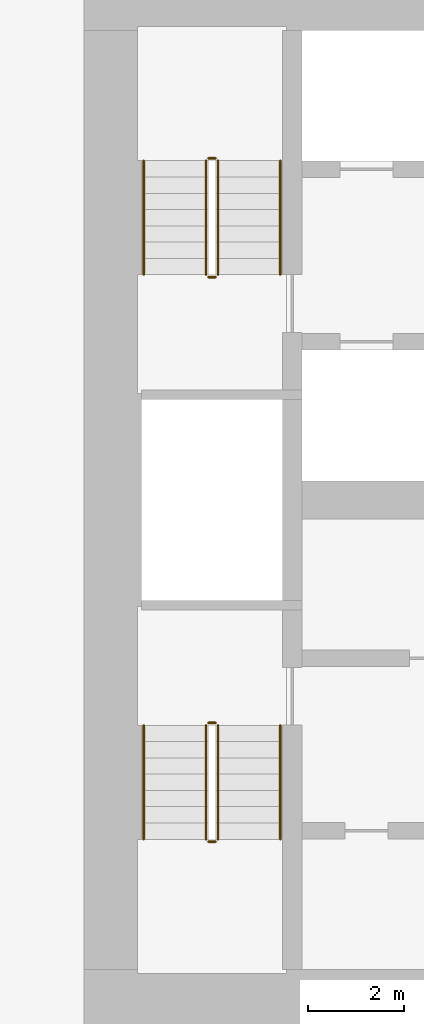
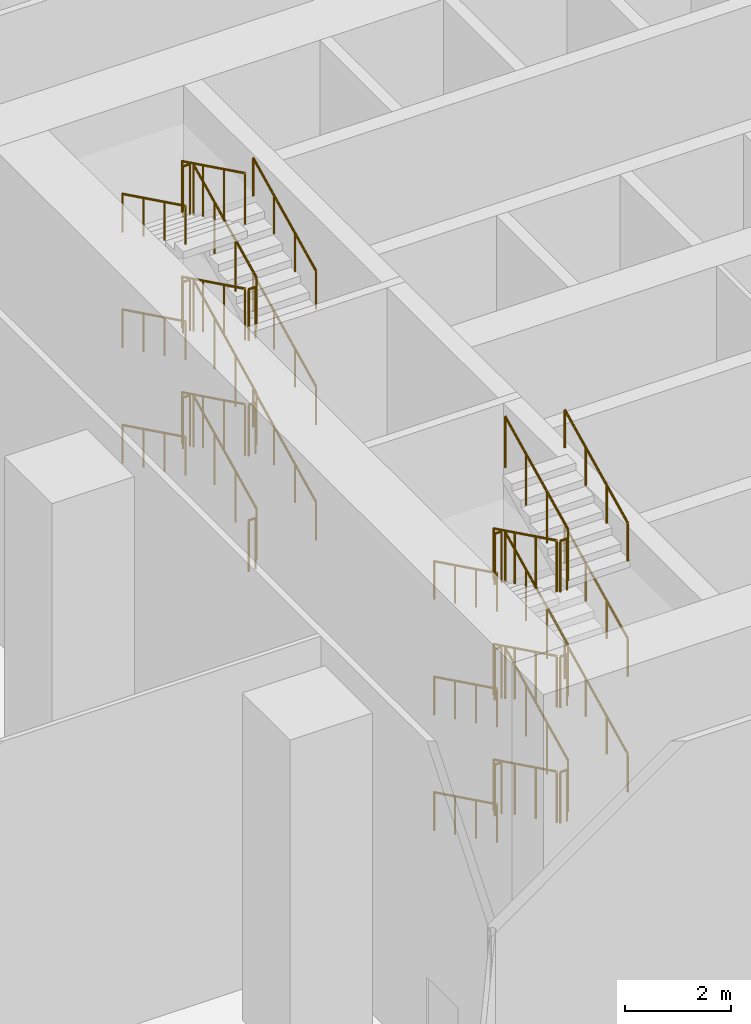
# One storey, part 19 of 22: 36 railings.
"""IFC4 building model written with IfcOpenShell, lengths in metres."""

from ifc_helpers import new_model, si_unit, direction, frame, origin, origin_2d, place, context, subcontext, project, spatial, circle, extrude, material, type_object, element, save


model = new_model("IFC4")

# Units and contexts
model_context = context("Model", 3, precision=1e-05, world=origin(), true_north=direction((0.0, 1.0)))
body_context = subcontext(model_context, "Body", "Model", "MODEL_VIEW")
ifc_project = project(units=[si_unit("LENGTHUNIT", "METRE"), si_unit("AREAUNIT", "SQUARE_METRE"), si_unit("VOLUMEUNIT", "CUBIC_METRE"), si_unit("PLANEANGLEUNIT", "RADIAN"), si_unit("MASSUNIT", "GRAM", prefix="KILO")], contexts=[model_context])

# Site, building, storey
site_placement = place(None, origin())
site = spatial("IfcSite", under=ifc_project, at=site_placement, CompositionType="ELEMENT")
building_placement = place(site_placement, origin())
building = spatial("IfcBuilding", under=site, at=building_placement, Name="Dongbaek Canopy Tower", CompositionType="ELEMENT")
storey_placement = place(building_placement, frame((0.0, 0.0, 19.0)))
storey = spatial("IfcBuildingStorey", under=building, at=storey_placement, Name="L02", CompositionType="ELEMENT", Elevation=19.0)

# Railings
ifc_material_1 = material(Name="Stainless steel tube and balusters", Category="steel")
railing_type_1 = type_object("IfcRailingType", Name="Stair guard 1200", PredefinedType="GUARDRAIL", material=ifc_material_1)
railing_1_placement = place(storey_placement, frame((-11.199951171875, 4.699951171875, 0.166748046875)))
element("IfcRailing", 1, at=railing_1_placement, inside=storey, type_object=railing_type_1, Name="L02 ST-C stair guard 1", PredefinedType="GUARDRAIL", context=body_context, shape_type="SweptSolid", body=[
    extrude(circle(Radius=0.02392578125, at=origin_2d()), frame((0.0, 0.0, 1.17578125), z_axis=(0.0, 0.897954268197, 0.440088777664), x_axis=(-1.0, 0.0, 0.0)), (0.0, 0.0, 1.0), 2.650634765625),
    extrude(circle(Radius=0.02099609375, at=origin_2d()), origin(), (0.0, 0.0, 1.0), 1.15185546875),
    extrude(circle(Radius=0.02099609375, at=origin_2d()), frame((0.0, 0.79345703125, 0.388916015625)), (0.0, 0.0, 1.0), 1.15185546875),
    extrude(circle(Radius=0.02099609375, at=origin_2d()), frame((0.0, 1.586669921875, 0.777587890625)), (0.0, 0.0, 1.0), 1.15185546875),
    extrude(circle(Radius=0.02099609375, at=origin_2d()), frame((0.0, 2.380126953125, 1.16650390625)), (0.0, 0.0, 1.0), 1.15185546875),
])
railing_2_placement = place(storey_placement, frame((-11.25, 7.1298828125, 1.333251953125)))
element("IfcRailing", 2, at=railing_2_placement, inside=storey, type_object=railing_type_1, Name="L02 ST-C stair guard 2", PredefinedType="GUARDRAIL", context=body_context, shape_type="SweptSolid", body=[
    extrude(circle(Radius=0.02392578125, at=origin_2d()), frame((0.0, 0.0, 1.17578125), z_axis=(-1.0, 0.0, 0.0), x_axis=(0.0, -1.0, 0.0)), (0.0, 0.0, 1.0), 0.14990234375),
    extrude(circle(Radius=0.02099609375, at=origin_2d()), origin(), (0.0, 0.0, 1.0), 1.15185546875),
    extrude(circle(Radius=0.02099609375, at=origin_2d()), frame((-0.14990234375, 0.0, 0.0)), (0.0, 0.0, 1.0), 1.15185546875),
])
railing_3_placement = place(storey_placement, frame((-11.449951171875, 7.080078125, 1.5)))
element("IfcRailing", 3, at=railing_3_placement, inside=storey, type_object=railing_type_1, Name="L02 ST-C stair guard 3", PredefinedType="GUARDRAIL", context=body_context, shape_type="SweptSolid", body=[
    extrude(circle(Radius=0.02392578125, at=origin_2d()), frame((0.0, 0.0, 1.17578125), z_axis=(0.0, -0.897917867668, 0.440163041295), x_axis=(1.0, 0.0, 0.0)), (0.0, 0.0, 1.0), 2.650634765625),
    extrude(circle(Radius=0.02099609375, at=origin_2d()), origin(), (0.0, 0.0, 1.0), 1.15185546875),
    extrude(circle(Radius=0.02099609375, at=origin_2d()), frame((0.0, -0.79345703125, 0.388916015625)), (0.0, 0.0, 1.0), 1.15185546875),
    extrude(circle(Radius=0.02099609375, at=origin_2d()), frame((0.0, -1.586669921875, 0.77783203125)), (0.0, 0.0, 1.0), 1.15185546875),
    extrude(circle(Radius=0.02099609375, at=origin_2d()), frame((0.0, -2.380126953125, 1.166748046875)), (0.0, 0.0, 1.0), 1.15185546875),
])
railing_4_placement = place(storey_placement, frame((-11.25, 4.64990234375, 2.666748046875)))
element("IfcRailing", 4, at=railing_4_placement, inside=storey, type_object=railing_type_1, Name="L02 ST-C stair guard 4", PredefinedType="GUARDRAIL", context=body_context, shape_type="SweptSolid", body=[
    extrude(circle(Radius=0.02392578125, at=origin_2d()), frame((0.0, 0.0, 1.17578125), z_axis=(-1.0, 0.0, 0.0), x_axis=(0.0, -1.0, 0.0)), (0.0, 0.0, 1.0), 0.14990234375),
    extrude(circle(Radius=0.02099609375, at=origin_2d()), origin(), (0.0, 0.0, 1.0), 1.15185546875),
    extrude(circle(Radius=0.02099609375, at=origin_2d()), frame((-0.14990234375, 0.0, 0.0)), (0.0, 0.0, 1.0), 1.15185546875),
])
railing_5_placement = place(storey_placement, frame((-11.199951171875, 4.699951171875, 2.833251953125)))
element("IfcRailing", 5, at=railing_5_placement, inside=storey, type_object=railing_type_1, Name="L02 ST-C stair guard 5", PredefinedType="GUARDRAIL", context=body_context, shape_type="SweptSolid", body=[
    extrude(circle(Radius=0.02392578125, at=origin_2d()), frame((0.0, 0.0, 1.17578125), z_axis=(0.0, 0.897917867668, 0.440163041295), x_axis=(-1.0, 0.0, 0.0)), (0.0, 0.0, 1.0), 2.650634765625),
    extrude(circle(Radius=0.02099609375, at=origin_2d()), origin(), (0.0, 0.0, 1.0), 1.15185546875),
    extrude(circle(Radius=0.02099609375, at=origin_2d()), frame((0.0, 0.79345703125, 0.388916015625)), (0.0, 0.0, 1.0), 1.15185546875),
    extrude(circle(Radius=0.02099609375, at=origin_2d()), frame((0.0, 1.586669921875, 0.77783203125)), (0.0, 0.0, 1.0), 1.15185546875),
    extrude(circle(Radius=0.02099609375, at=origin_2d()), frame((0.0, 2.380126953125, 1.166748046875)), (0.0, 0.0, 1.0), 1.15185546875),
])
railing_6_placement = place(storey_placement, frame((-11.25, 7.1298828125, 4.0)))
element("IfcRailing", 6, at=railing_6_placement, inside=storey, type_object=railing_type_1, Name="L02 ST-C stair guard 6", PredefinedType="GUARDRAIL", context=body_context, shape_type="SweptSolid", body=[
    extrude(circle(Radius=0.02392578125, at=origin_2d()), frame((0.0, 0.0, 1.17578125), z_axis=(-1.0, 0.0, 0.0), x_axis=(0.0, -1.0, 0.0)), (0.0, 0.0, 1.0), 0.14990234375),
    extrude(circle(Radius=0.02099609375, at=origin_2d()), origin(), (0.0, 0.0, 1.0), 1.15185546875),
    extrude(circle(Radius=0.02099609375, at=origin_2d()), frame((-0.14990234375, 0.0, 0.0)), (0.0, 0.0, 1.0), 1.15185546875),
])
railing_7_placement = place(storey_placement, frame((-11.449951171875, 7.080078125, 4.166748046875)))
element("IfcRailing", 7, at=railing_7_placement, inside=storey, type_object=railing_type_1, Name="L02 ST-C stair guard 7", PredefinedType="GUARDRAIL", context=body_context, shape_type="SweptSolid", body=[
    extrude(circle(Radius=0.02392578125, at=origin_2d()), frame((0.0, 0.0, 1.17578125), z_axis=(0.0, -0.897954268197, 0.440088777664), x_axis=(1.0, 0.0, 0.0)), (0.0, 0.0, 1.0), 2.650634765625),
    extrude(circle(Radius=0.02099609375, at=origin_2d()), origin(), (0.0, 0.0, 1.0), 1.15185546875),
    extrude(circle(Radius=0.02099609375, at=origin_2d()), frame((0.0, -0.79345703125, 0.388916015625)), (0.0, 0.0, 1.0), 1.15185546875),
    extrude(circle(Radius=0.02099609375, at=origin_2d()), frame((0.0, -1.586669921875, 0.777587890625)), (0.0, 0.0, 1.0), 1.15185546875),
    extrude(circle(Radius=0.02099609375, at=origin_2d()), frame((0.0, -2.380126953125, 1.16650390625)), (0.0, 0.0, 1.0), 1.15185546875),
])
railing_8_placement = place(storey_placement, frame((-11.25, 4.64990234375, 5.333251953125)))
element("IfcRailing", 8, at=railing_8_placement, inside=storey, type_object=railing_type_1, Name="L02 ST-C stair guard 8", PredefinedType="GUARDRAIL", context=body_context, shape_type="SweptSolid", body=[
    extrude(circle(Radius=0.02392578125, at=origin_2d()), frame((0.0, 0.0, 1.17578125), z_axis=(-1.0, 0.0, 0.0), x_axis=(0.0, -1.0, 0.0)), (0.0, 0.0, 1.0), 0.14990234375),
    extrude(circle(Radius=0.02099609375, at=origin_2d()), origin(), (0.0, 0.0, 1.0), 1.15185546875),
    extrude(circle(Radius=0.02099609375, at=origin_2d()), frame((-0.14990234375, 0.0, 0.0)), (0.0, 0.0, 1.0), 1.15185546875),
])
railing_9_placement = place(storey_placement, frame((-11.199951171875, 4.699951171875, 5.5)))
element("IfcRailing", 9, at=railing_9_placement, inside=storey, type_object=railing_type_1, Name="L02 ST-C stair guard 9", PredefinedType="GUARDRAIL", context=body_context, shape_type="SweptSolid", body=[
    extrude(circle(Radius=0.02392578125, at=origin_2d()), frame((0.0, 0.0, 1.17578125), z_axis=(0.0, 0.897917867668, 0.440163041295), x_axis=(-1.0, 0.0, 0.0)), (0.0, 0.0, 1.0), 2.650634765625),
    extrude(circle(Radius=0.02099609375, at=origin_2d()), origin(), (0.0, 0.0, 1.0), 1.15185546875),
    extrude(circle(Radius=0.02099609375, at=origin_2d()), frame((0.0, 0.79345703125, 0.388916015625)), (0.0, 0.0, 1.0), 1.15185546875),
    extrude(circle(Radius=0.02099609375, at=origin_2d()), frame((0.0, 1.586669921875, 0.77783203125)), (0.0, 0.0, 1.0), 1.15185546875),
    extrude(circle(Radius=0.02099609375, at=origin_2d()), frame((0.0, 2.380126953125, 1.166748046875)), (0.0, 0.0, 1.0), 1.15185546875),
])
railing_10_placement = place(storey_placement, frame((-11.25, 7.1298828125, 6.666748046875)))
element("IfcRailing", 10, at=railing_10_placement, inside=storey, type_object=railing_type_1, Name="L02 ST-C stair guard 10", PredefinedType="GUARDRAIL", context=body_context, shape_type="SweptSolid", body=[
    extrude(circle(Radius=0.02392578125, at=origin_2d()), frame((0.0, 0.0, 1.17578125), z_axis=(-1.0, 0.0, 0.0), x_axis=(0.0, -1.0, 0.0)), (0.0, 0.0, 1.0), 0.14990234375),
    extrude(circle(Radius=0.02099609375, at=origin_2d()), origin(), (0.0, 0.0, 1.0), 1.15185546875),
    extrude(circle(Radius=0.02099609375, at=origin_2d()), frame((-0.14990234375, 0.0, 0.0)), (0.0, 0.0, 1.0), 1.15185546875),
])
railing_11_placement = place(storey_placement, frame((-11.449951171875, 7.080078125, 6.833251953125)))
element("IfcRailing", 11, at=railing_11_placement, inside=storey, type_object=railing_type_1, Name="L02 ST-C stair guard 11", PredefinedType="GUARDRAIL", context=body_context, shape_type="SweptSolid", body=[
    extrude(circle(Radius=0.02392578125, at=origin_2d()), frame((0.0, 0.0, 1.17578125), z_axis=(0.0, -0.897917867668, 0.440163041295), x_axis=(1.0, 0.0, 0.0)), (0.0, 0.0, 1.0), 2.650634765625),
    extrude(circle(Radius=0.02099609375, at=origin_2d()), origin(), (0.0, 0.0, 1.0), 1.15185546875),
    extrude(circle(Radius=0.02099609375, at=origin_2d()), frame((0.0, -0.79345703125, 0.388916015625)), (0.0, 0.0, 1.0), 1.15185546875),
    extrude(circle(Radius=0.02099609375, at=origin_2d()), frame((0.0, -1.586669921875, 0.77783203125)), (0.0, 0.0, 1.0), 1.15185546875),
    extrude(circle(Radius=0.02099609375, at=origin_2d()), frame((0.0, -2.380126953125, 1.166748046875)), (0.0, 0.0, 1.0), 1.15185546875),
])
railing_12_placement = place(storey_placement, frame((-11.25, 4.64990234375, 0.0)))
element("IfcRailing", 12, at=railing_12_placement, inside=storey, type_object=railing_type_1, Name="L02 ST-C stair guard 12", PredefinedType="GUARDRAIL", context=body_context, shape_type="SweptSolid", body=[
    extrude(circle(Radius=0.02392578125, at=origin_2d()), frame((0.0, 0.0, 1.17578125), z_axis=(-1.0, 0.0, 0.0), x_axis=(0.0, -1.0, 0.0)), (0.0, 0.0, 1.0), 0.14990234375),
    extrude(circle(Radius=0.02099609375, at=origin_2d()), origin(), (0.0, 0.0, 1.0), 1.15185546875),
    extrude(circle(Radius=0.02099609375, at=origin_2d()), frame((-0.14990234375, 0.0, 0.0)), (0.0, 0.0, 1.0), 1.15185546875),
])
railing_13_placement = place(storey_placement, frame((-11.449951171875, -4.699951171875, 0.166748046875)))
element("IfcRailing", 13, at=railing_13_placement, inside=storey, type_object=railing_type_1, Name="L02 ST-D stair guard 1", PredefinedType="GUARDRAIL", context=body_context, shape_type="SweptSolid", body=[
    extrude(circle(Radius=0.02392578125, at=origin_2d()), frame((0.0, 0.0, 1.17578125), z_axis=(0.0, -0.897954268197, 0.440088777664), x_axis=(1.0, 0.0, 0.0)), (0.0, 0.0, 1.0), 2.650634765625),
    extrude(circle(Radius=0.02099609375, at=origin_2d()), origin(), (0.0, 0.0, 1.0), 1.15185546875),
    extrude(circle(Radius=0.02099609375, at=origin_2d()), frame((0.0, -0.79345703125, 0.388916015625)), (0.0, 0.0, 1.0), 1.15185546875),
    extrude(circle(Radius=0.02099609375, at=origin_2d()), frame((0.0, -1.586669921875, 0.777587890625)), (0.0, 0.0, 1.0), 1.15185546875),
    extrude(circle(Radius=0.02099609375, at=origin_2d()), frame((0.0, -2.380126953125, 1.16650390625)), (0.0, 0.0, 1.0), 1.15185546875),
])
railing_14_placement = place(storey_placement, frame((-11.39990234375, -7.1298828125, 1.333251953125)))
element("IfcRailing", 14, at=railing_14_placement, inside=storey, type_object=railing_type_1, Name="L02 ST-D stair guard 2", PredefinedType="GUARDRAIL", context=body_context, shape_type="SweptSolid", body=[
    extrude(circle(Radius=0.02392578125, at=origin_2d()), frame((0.0, 0.0, 1.17578125), z_axis=(1.0, 0.0, 0.0), x_axis=(0.0, 1.0, 0.0)), (0.0, 0.0, 1.0), 0.14990234375),
    extrude(circle(Radius=0.02099609375, at=origin_2d()), origin(), (0.0, 0.0, 1.0), 1.15185546875),
    extrude(circle(Radius=0.02099609375, at=origin_2d()), frame((0.14990234375, 0.0, 0.0)), (0.0, 0.0, 1.0), 1.15185546875),
])
railing_15_placement = place(storey_placement, frame((-11.199951171875, -7.080078125, 1.5)))
element("IfcRailing", 15, at=railing_15_placement, inside=storey, type_object=railing_type_1, Name="L02 ST-D stair guard 3", PredefinedType="GUARDRAIL", context=body_context, shape_type="SweptSolid", body=[
    extrude(circle(Radius=0.02392578125, at=origin_2d()), frame((0.0, 0.0, 1.17578125), z_axis=(0.0, 0.897917867668, 0.440163041295), x_axis=(-1.0, 0.0, 0.0)), (0.0, 0.0, 1.0), 2.650634765625),
    extrude(circle(Radius=0.02099609375, at=origin_2d()), origin(), (0.0, 0.0, 1.0), 1.15185546875),
    extrude(circle(Radius=0.02099609375, at=origin_2d()), frame((0.0, 0.79345703125, 0.388916015625)), (0.0, 0.0, 1.0), 1.15185546875),
    extrude(circle(Radius=0.02099609375, at=origin_2d()), frame((0.0, 1.586669921875, 0.77783203125)), (0.0, 0.0, 1.0), 1.15185546875),
    extrude(circle(Radius=0.02099609375, at=origin_2d()), frame((0.0, 2.380126953125, 1.166748046875)), (0.0, 0.0, 1.0), 1.15185546875),
])
railing_16_placement = place(storey_placement, frame((-11.39990234375, -4.64990234375, 2.666748046875)))
element("IfcRailing", 16, at=railing_16_placement, inside=storey, type_object=railing_type_1, Name="L02 ST-D stair guard 4", PredefinedType="GUARDRAIL", context=body_context, shape_type="SweptSolid", body=[
    extrude(circle(Radius=0.02392578125, at=origin_2d()), frame((0.0, 0.0, 1.17578125), z_axis=(1.0, 0.0, 0.0), x_axis=(0.0, 1.0, 0.0)), (0.0, 0.0, 1.0), 0.14990234375),
    extrude(circle(Radius=0.02099609375, at=origin_2d()), origin(), (0.0, 0.0, 1.0), 1.15185546875),
    extrude(circle(Radius=0.02099609375, at=origin_2d()), frame((0.14990234375, 0.0, 0.0)), (0.0, 0.0, 1.0), 1.15185546875),
])
railing_17_placement = place(storey_placement, frame((-11.449951171875, -4.699951171875, 2.833251953125)))
element("IfcRailing", 17, at=railing_17_placement, inside=storey, type_object=railing_type_1, Name="L02 ST-D stair guard 5", PredefinedType="GUARDRAIL", context=body_context, shape_type="SweptSolid", body=[
    extrude(circle(Radius=0.02392578125, at=origin_2d()), frame((0.0, 0.0, 1.17578125), z_axis=(0.0, -0.897917867668, 0.440163041295), x_axis=(1.0, 0.0, 0.0)), (0.0, 0.0, 1.0), 2.650634765625),
    extrude(circle(Radius=0.02099609375, at=origin_2d()), origin(), (0.0, 0.0, 1.0), 1.15185546875),
    extrude(circle(Radius=0.02099609375, at=origin_2d()), frame((0.0, -0.79345703125, 0.388916015625)), (0.0, 0.0, 1.0), 1.15185546875),
    extrude(circle(Radius=0.02099609375, at=origin_2d()), frame((0.0, -1.586669921875, 0.77783203125)), (0.0, 0.0, 1.0), 1.15185546875),
    extrude(circle(Radius=0.02099609375, at=origin_2d()), frame((0.0, -2.380126953125, 1.166748046875)), (0.0, 0.0, 1.0), 1.15185546875),
])
railing_18_placement = place(storey_placement, frame((-11.39990234375, -7.1298828125, 4.0)))
element("IfcRailing", 18, at=railing_18_placement, inside=storey, type_object=railing_type_1, Name="L02 ST-D stair guard 6", PredefinedType="GUARDRAIL", context=body_context, shape_type="SweptSolid", body=[
    extrude(circle(Radius=0.02392578125, at=origin_2d()), frame((0.0, 0.0, 1.17578125), z_axis=(1.0, 0.0, 0.0), x_axis=(0.0, 1.0, 0.0)), (0.0, 0.0, 1.0), 0.14990234375),
    extrude(circle(Radius=0.02099609375, at=origin_2d()), origin(), (0.0, 0.0, 1.0), 1.15185546875),
    extrude(circle(Radius=0.02099609375, at=origin_2d()), frame((0.14990234375, 0.0, 0.0)), (0.0, 0.0, 1.0), 1.15185546875),
])
railing_19_placement = place(storey_placement, frame((-11.199951171875, -7.080078125, 4.166748046875)))
element("IfcRailing", 19, at=railing_19_placement, inside=storey, type_object=railing_type_1, Name="L02 ST-D stair guard 7", PredefinedType="GUARDRAIL", context=body_context, shape_type="SweptSolid", body=[
    extrude(circle(Radius=0.02392578125, at=origin_2d()), frame((0.0, 0.0, 1.17578125), z_axis=(0.0, 0.897954268197, 0.440088777664), x_axis=(-1.0, 0.0, 0.0)), (0.0, 0.0, 1.0), 2.650634765625),
    extrude(circle(Radius=0.02099609375, at=origin_2d()), origin(), (0.0, 0.0, 1.0), 1.15185546875),
    extrude(circle(Radius=0.02099609375, at=origin_2d()), frame((0.0, 0.79345703125, 0.388916015625)), (0.0, 0.0, 1.0), 1.15185546875),
    extrude(circle(Radius=0.02099609375, at=origin_2d()), frame((0.0, 1.586669921875, 0.777587890625)), (0.0, 0.0, 1.0), 1.15185546875),
    extrude(circle(Radius=0.02099609375, at=origin_2d()), frame((0.0, 2.380126953125, 1.16650390625)), (0.0, 0.0, 1.0), 1.15185546875),
])
railing_20_placement = place(storey_placement, frame((-11.39990234375, -4.64990234375, 5.333251953125)))
element("IfcRailing", 20, at=railing_20_placement, inside=storey, type_object=railing_type_1, Name="L02 ST-D stair guard 8", PredefinedType="GUARDRAIL", context=body_context, shape_type="SweptSolid", body=[
    extrude(circle(Radius=0.02392578125, at=origin_2d()), frame((0.0, 0.0, 1.17578125), z_axis=(1.0, 0.0, 0.0), x_axis=(0.0, 1.0, 0.0)), (0.0, 0.0, 1.0), 0.14990234375),
    extrude(circle(Radius=0.02099609375, at=origin_2d()), origin(), (0.0, 0.0, 1.0), 1.15185546875),
    extrude(circle(Radius=0.02099609375, at=origin_2d()), frame((0.14990234375, 0.0, 0.0)), (0.0, 0.0, 1.0), 1.15185546875),
])
railing_21_placement = place(storey_placement, frame((-11.449951171875, -4.699951171875, 5.5)))
element("IfcRailing", 21, at=railing_21_placement, inside=storey, type_object=railing_type_1, Name="L02 ST-D stair guard 9", PredefinedType="GUARDRAIL", context=body_context, shape_type="SweptSolid", body=[
    extrude(circle(Radius=0.02392578125, at=origin_2d()), frame((0.0, 0.0, 1.17578125), z_axis=(0.0, -0.897917867668, 0.440163041295), x_axis=(1.0, 0.0, 0.0)), (0.0, 0.0, 1.0), 2.650634765625),
    extrude(circle(Radius=0.02099609375, at=origin_2d()), origin(), (0.0, 0.0, 1.0), 1.15185546875),
    extrude(circle(Radius=0.02099609375, at=origin_2d()), frame((0.0, -0.79345703125, 0.388916015625)), (0.0, 0.0, 1.0), 1.15185546875),
    extrude(circle(Radius=0.02099609375, at=origin_2d()), frame((0.0, -1.586669921875, 0.77783203125)), (0.0, 0.0, 1.0), 1.15185546875),
    extrude(circle(Radius=0.02099609375, at=origin_2d()), frame((0.0, -2.380126953125, 1.166748046875)), (0.0, 0.0, 1.0), 1.15185546875),
])
railing_22_placement = place(storey_placement, frame((-11.39990234375, -7.1298828125, 6.666748046875)))
element("IfcRailing", 22, at=railing_22_placement, inside=storey, type_object=railing_type_1, Name="L02 ST-D stair guard 10", PredefinedType="GUARDRAIL", context=body_context, shape_type="SweptSolid", body=[
    extrude(circle(Radius=0.02392578125, at=origin_2d()), frame((0.0, 0.0, 1.17578125), z_axis=(1.0, 0.0, 0.0), x_axis=(0.0, 1.0, 0.0)), (0.0, 0.0, 1.0), 0.14990234375),
    extrude(circle(Radius=0.02099609375, at=origin_2d()), origin(), (0.0, 0.0, 1.0), 1.15185546875),
    extrude(circle(Radius=0.02099609375, at=origin_2d()), frame((0.14990234375, 0.0, 0.0)), (0.0, 0.0, 1.0), 1.15185546875),
])
railing_23_placement = place(storey_placement, frame((-11.199951171875, -7.080078125, 6.833251953125)))
element("IfcRailing", 23, at=railing_23_placement, inside=storey, type_object=railing_type_1, Name="L02 ST-D stair guard 11", PredefinedType="GUARDRAIL", context=body_context, shape_type="SweptSolid", body=[
    extrude(circle(Radius=0.02392578125, at=origin_2d()), frame((0.0, 0.0, 1.17578125), z_axis=(0.0, 0.897917867668, 0.440163041295), x_axis=(-1.0, 0.0, 0.0)), (0.0, 0.0, 1.0), 2.650634765625),
    extrude(circle(Radius=0.02099609375, at=origin_2d()), origin(), (0.0, 0.0, 1.0), 1.15185546875),
    extrude(circle(Radius=0.02099609375, at=origin_2d()), frame((0.0, 0.79345703125, 0.388916015625)), (0.0, 0.0, 1.0), 1.15185546875),
    extrude(circle(Radius=0.02099609375, at=origin_2d()), frame((0.0, 1.586669921875, 0.77783203125)), (0.0, 0.0, 1.0), 1.15185546875),
    extrude(circle(Radius=0.02099609375, at=origin_2d()), frame((0.0, 2.380126953125, 1.166748046875)), (0.0, 0.0, 1.0), 1.15185546875),
])
railing_24_placement = place(storey_placement, frame((-11.39990234375, -4.64990234375, 0.0)))
element("IfcRailing", 24, at=railing_24_placement, inside=storey, type_object=railing_type_1, Name="L02 ST-D stair guard 12", PredefinedType="GUARDRAIL", context=body_context, shape_type="SweptSolid", body=[
    extrude(circle(Radius=0.02392578125, at=origin_2d()), frame((0.0, 0.0, 1.17578125), z_axis=(1.0, 0.0, 0.0), x_axis=(0.0, 1.0, 0.0)), (0.0, 0.0, 1.0), 0.14990234375),
    extrude(circle(Radius=0.02099609375, at=origin_2d()), origin(), (0.0, 0.0, 1.0), 1.15185546875),
    extrude(circle(Radius=0.02099609375, at=origin_2d()), frame((0.14990234375, 0.0, 0.0)), (0.0, 0.0, 1.0), 1.15185546875),
])
ifc_material_2 = material(Name="Stainless steel tube", Category="steel")
railing_type_2 = type_object("IfcRailingType", Name="Stair handrail 900", PredefinedType="HANDRAIL", material=ifc_material_2)
railing_25_placement = place(storey_placement, frame((-9.89990234375, 4.699951171875, 0.166748046875)))
element("IfcRailing", 25, at=railing_25_placement, inside=storey, type_object=railing_type_2, Name="L02 ST-C stair handrail 1", PredefinedType="HANDRAIL", context=body_context, shape_type="SweptSolid", body=[
    extrude(circle(Radius=0.02392578125, at=origin_2d()), frame((0.0, 0.0, 0.8759765625), z_axis=(0.0, 0.897954268197, 0.440088777664), x_axis=(-1.0, 0.0, 0.0)), (0.0, 0.0, 1.0), 2.650634765625),
    extrude(circle(Radius=0.02099609375, at=origin_2d()), origin(), (0.0, 0.0, 1.0), 0.851806640625),
    extrude(circle(Radius=0.02099609375, at=origin_2d()), frame((0.0, 0.79345703125, 0.388916015625)), (0.0, 0.0, 1.0), 0.851806640625),
    extrude(circle(Radius=0.02099609375, at=origin_2d()), frame((0.0, 1.586669921875, 0.777587890625)), (0.0, 0.0, 1.0), 0.851806640625),
    extrude(circle(Radius=0.02099609375, at=origin_2d()), frame((0.0, 2.380126953125, 1.16650390625)), (0.0, 0.0, 1.0), 0.851806640625),
])
railing_26_placement = place(storey_placement, frame((-12.75, 7.080078125, 1.5)))
element("IfcRailing", 26, at=railing_26_placement, inside=storey, type_object=railing_type_2, Name="L02 ST-C stair handrail 2", PredefinedType="HANDRAIL", context=body_context, shape_type="SweptSolid", body=[
    extrude(circle(Radius=0.02392578125, at=origin_2d()), frame((0.0, 0.0, 0.8759765625), z_axis=(0.0, -0.897917867668, 0.440163041295), x_axis=(1.0, 0.0, 0.0)), (0.0, 0.0, 1.0), 2.650634765625),
    extrude(circle(Radius=0.02099609375, at=origin_2d()), origin(), (0.0, 0.0, 1.0), 0.851806640625),
    extrude(circle(Radius=0.02099609375, at=origin_2d()), frame((0.0, -0.79345703125, 0.388916015625)), (0.0, 0.0, 1.0), 0.851806640625),
    extrude(circle(Radius=0.02099609375, at=origin_2d()), frame((0.0, -1.586669921875, 0.77783203125)), (0.0, 0.0, 1.0), 0.851806640625),
    extrude(circle(Radius=0.02099609375, at=origin_2d()), frame((0.0, -2.380126953125, 1.166748046875)), (0.0, 0.0, 1.0), 0.851806640625),
])
railing_27_placement = place(storey_placement, frame((-9.89990234375, 4.699951171875, 2.833251953125)))
element("IfcRailing", 27, at=railing_27_placement, inside=storey, type_object=railing_type_2, Name="L02 ST-C stair handrail 3", PredefinedType="HANDRAIL", context=body_context, shape_type="SweptSolid", body=[
    extrude(circle(Radius=0.02392578125, at=origin_2d()), frame((0.0, 0.0, 0.8759765625), z_axis=(0.0, 0.897917867668, 0.440163041295), x_axis=(-1.0, 0.0, 0.0)), (0.0, 0.0, 1.0), 2.650634765625),
    extrude(circle(Radius=0.02099609375, at=origin_2d()), origin(), (0.0, 0.0, 1.0), 0.851806640625),
    extrude(circle(Radius=0.02099609375, at=origin_2d()), frame((0.0, 0.79345703125, 0.388916015625)), (0.0, 0.0, 1.0), 0.851806640625),
    extrude(circle(Radius=0.02099609375, at=origin_2d()), frame((0.0, 1.586669921875, 0.77783203125)), (0.0, 0.0, 1.0), 0.851806640625),
    extrude(circle(Radius=0.02099609375, at=origin_2d()), frame((0.0, 2.380126953125, 1.166748046875)), (0.0, 0.0, 1.0), 0.851806640625),
])
railing_28_placement = place(storey_placement, frame((-12.75, 7.080078125, 4.166748046875)))
element("IfcRailing", 28, at=railing_28_placement, inside=storey, type_object=railing_type_2, Name="L02 ST-C stair handrail 4", PredefinedType="HANDRAIL", context=body_context, shape_type="SweptSolid", body=[
    extrude(circle(Radius=0.02392578125, at=origin_2d()), frame((0.0, 0.0, 0.8759765625), z_axis=(0.0, -0.897954268197, 0.440088777664), x_axis=(1.0, 0.0, 0.0)), (0.0, 0.0, 1.0), 2.650634765625),
    extrude(circle(Radius=0.02099609375, at=origin_2d()), origin(), (0.0, 0.0, 1.0), 0.851806640625),
    extrude(circle(Radius=0.02099609375, at=origin_2d()), frame((0.0, -0.79345703125, 0.388916015625)), (0.0, 0.0, 1.0), 0.851806640625),
    extrude(circle(Radius=0.02099609375, at=origin_2d()), frame((0.0, -1.586669921875, 0.777587890625)), (0.0, 0.0, 1.0), 0.851806640625),
    extrude(circle(Radius=0.02099609375, at=origin_2d()), frame((0.0, -2.380126953125, 1.16650390625)), (0.0, 0.0, 1.0), 0.851806640625),
])
railing_29_placement = place(storey_placement, frame((-9.89990234375, 4.699951171875, 5.5)))
element("IfcRailing", 29, at=railing_29_placement, inside=storey, type_object=railing_type_2, Name="L02 ST-C stair handrail 5", PredefinedType="HANDRAIL", context=body_context, shape_type="SweptSolid", body=[
    extrude(circle(Radius=0.02392578125, at=origin_2d()), frame((0.0, 0.0, 0.8759765625), z_axis=(0.0, 0.897917867668, 0.440163041295), x_axis=(-1.0, 0.0, 0.0)), (0.0, 0.0, 1.0), 2.650634765625),
    extrude(circle(Radius=0.02099609375, at=origin_2d()), origin(), (0.0, 0.0, 1.0), 0.851806640625),
    extrude(circle(Radius=0.02099609375, at=origin_2d()), frame((0.0, 0.79345703125, 0.388916015625)), (0.0, 0.0, 1.0), 0.851806640625),
    extrude(circle(Radius=0.02099609375, at=origin_2d()), frame((0.0, 1.586669921875, 0.77783203125)), (0.0, 0.0, 1.0), 0.851806640625),
    extrude(circle(Radius=0.02099609375, at=origin_2d()), frame((0.0, 2.380126953125, 1.166748046875)), (0.0, 0.0, 1.0), 0.851806640625),
])
railing_30_placement = place(storey_placement, frame((-12.75, 7.080078125, 6.833251953125)))
element("IfcRailing", 30, at=railing_30_placement, inside=storey, type_object=railing_type_2, Name="L02 ST-C stair handrail 6", PredefinedType="HANDRAIL", context=body_context, shape_type="SweptSolid", body=[
    extrude(circle(Radius=0.02392578125, at=origin_2d()), frame((0.0, 0.0, 0.8759765625), z_axis=(0.0, -0.897917867668, 0.440163041295), x_axis=(1.0, 0.0, 0.0)), (0.0, 0.0, 1.0), 2.650634765625),
    extrude(circle(Radius=0.02099609375, at=origin_2d()), origin(), (0.0, 0.0, 1.0), 0.851806640625),
    extrude(circle(Radius=0.02099609375, at=origin_2d()), frame((0.0, -0.79345703125, 0.388916015625)), (0.0, 0.0, 1.0), 0.851806640625),
    extrude(circle(Radius=0.02099609375, at=origin_2d()), frame((0.0, -1.586669921875, 0.77783203125)), (0.0, 0.0, 1.0), 0.851806640625),
    extrude(circle(Radius=0.02099609375, at=origin_2d()), frame((0.0, -2.380126953125, 1.166748046875)), (0.0, 0.0, 1.0), 0.851806640625),
])
railing_31_placement = place(storey_placement, frame((-12.75, -4.699951171875, 0.166748046875)))
element("IfcRailing", 31, at=railing_31_placement, inside=storey, type_object=railing_type_2, Name="L02 ST-D stair handrail 1", PredefinedType="HANDRAIL", context=body_context, shape_type="SweptSolid", body=[
    extrude(circle(Radius=0.02392578125, at=origin_2d()), frame((0.0, 0.0, 0.8759765625), z_axis=(0.0, -0.897954268197, 0.440088777664), x_axis=(1.0, 0.0, 0.0)), (0.0, 0.0, 1.0), 2.650634765625),
    extrude(circle(Radius=0.02099609375, at=origin_2d()), origin(), (0.0, 0.0, 1.0), 0.851806640625),
    extrude(circle(Radius=0.02099609375, at=origin_2d()), frame((0.0, -0.79345703125, 0.388916015625)), (0.0, 0.0, 1.0), 0.851806640625),
    extrude(circle(Radius=0.02099609375, at=origin_2d()), frame((0.0, -1.586669921875, 0.777587890625)), (0.0, 0.0, 1.0), 0.851806640625),
    extrude(circle(Radius=0.02099609375, at=origin_2d()), frame((0.0, -2.380126953125, 1.16650390625)), (0.0, 0.0, 1.0), 0.851806640625),
])
railing_32_placement = place(storey_placement, frame((-9.89990234375, -7.080078125, 1.5)))
element("IfcRailing", 32, at=railing_32_placement, inside=storey, type_object=railing_type_2, Name="L02 ST-D stair handrail 2", PredefinedType="HANDRAIL", context=body_context, shape_type="SweptSolid", body=[
    extrude(circle(Radius=0.02392578125, at=origin_2d()), frame((0.0, 0.0, 0.8759765625), z_axis=(0.0, 0.897917867668, 0.440163041295), x_axis=(-1.0, 0.0, 0.0)), (0.0, 0.0, 1.0), 2.650634765625),
    extrude(circle(Radius=0.02099609375, at=origin_2d()), origin(), (0.0, 0.0, 1.0), 0.851806640625),
    extrude(circle(Radius=0.02099609375, at=origin_2d()), frame((0.0, 0.79345703125, 0.388916015625)), (0.0, 0.0, 1.0), 0.851806640625),
    extrude(circle(Radius=0.02099609375, at=origin_2d()), frame((0.0, 1.586669921875, 0.77783203125)), (0.0, 0.0, 1.0), 0.851806640625),
    extrude(circle(Radius=0.02099609375, at=origin_2d()), frame((0.0, 2.380126953125, 1.166748046875)), (0.0, 0.0, 1.0), 0.851806640625),
])
railing_33_placement = place(storey_placement, frame((-12.75, -4.699951171875, 2.833251953125)))
element("IfcRailing", 33, at=railing_33_placement, inside=storey, type_object=railing_type_2, Name="L02 ST-D stair handrail 3", PredefinedType="HANDRAIL", context=body_context, shape_type="SweptSolid", body=[
    extrude(circle(Radius=0.02392578125, at=origin_2d()), frame((0.0, 0.0, 0.8759765625), z_axis=(0.0, -0.897917867668, 0.440163041295), x_axis=(1.0, 0.0, 0.0)), (0.0, 0.0, 1.0), 2.650634765625),
    extrude(circle(Radius=0.02099609375, at=origin_2d()), origin(), (0.0, 0.0, 1.0), 0.851806640625),
    extrude(circle(Radius=0.02099609375, at=origin_2d()), frame((0.0, -0.79345703125, 0.388916015625)), (0.0, 0.0, 1.0), 0.851806640625),
    extrude(circle(Radius=0.02099609375, at=origin_2d()), frame((0.0, -1.586669921875, 0.77783203125)), (0.0, 0.0, 1.0), 0.851806640625),
    extrude(circle(Radius=0.02099609375, at=origin_2d()), frame((0.0, -2.380126953125, 1.166748046875)), (0.0, 0.0, 1.0), 0.851806640625),
])
railing_34_placement = place(storey_placement, frame((-9.89990234375, -7.080078125, 4.166748046875)))
element("IfcRailing", 34, at=railing_34_placement, inside=storey, type_object=railing_type_2, Name="L02 ST-D stair handrail 4", PredefinedType="HANDRAIL", context=body_context, shape_type="SweptSolid", body=[
    extrude(circle(Radius=0.02392578125, at=origin_2d()), frame((0.0, 0.0, 0.8759765625), z_axis=(0.0, 0.897954268197, 0.440088777664), x_axis=(-1.0, 0.0, 0.0)), (0.0, 0.0, 1.0), 2.650634765625),
    extrude(circle(Radius=0.02099609375, at=origin_2d()), origin(), (0.0, 0.0, 1.0), 0.851806640625),
    extrude(circle(Radius=0.02099609375, at=origin_2d()), frame((0.0, 0.79345703125, 0.388916015625)), (0.0, 0.0, 1.0), 0.851806640625),
    extrude(circle(Radius=0.02099609375, at=origin_2d()), frame((0.0, 1.586669921875, 0.777587890625)), (0.0, 0.0, 1.0), 0.851806640625),
    extrude(circle(Radius=0.02099609375, at=origin_2d()), frame((0.0, 2.380126953125, 1.16650390625)), (0.0, 0.0, 1.0), 0.851806640625),
])
railing_35_placement = place(storey_placement, frame((-12.75, -4.699951171875, 5.5)))
element("IfcRailing", 35, at=railing_35_placement, inside=storey, type_object=railing_type_2, Name="L02 ST-D stair handrail 5", PredefinedType="HANDRAIL", context=body_context, shape_type="SweptSolid", body=[
    extrude(circle(Radius=0.02392578125, at=origin_2d()), frame((0.0, 0.0, 0.8759765625), z_axis=(0.0, -0.897917867668, 0.440163041295), x_axis=(1.0, 0.0, 0.0)), (0.0, 0.0, 1.0), 2.650634765625),
    extrude(circle(Radius=0.02099609375, at=origin_2d()), origin(), (0.0, 0.0, 1.0), 0.851806640625),
    extrude(circle(Radius=0.02099609375, at=origin_2d()), frame((0.0, -0.79345703125, 0.388916015625)), (0.0, 0.0, 1.0), 0.851806640625),
    extrude(circle(Radius=0.02099609375, at=origin_2d()), frame((0.0, -1.586669921875, 0.77783203125)), (0.0, 0.0, 1.0), 0.851806640625),
    extrude(circle(Radius=0.02099609375, at=origin_2d()), frame((0.0, -2.380126953125, 1.166748046875)), (0.0, 0.0, 1.0), 0.851806640625),
])
railing_36_placement = place(storey_placement, frame((-9.89990234375, -7.080078125, 6.833251953125)))
element("IfcRailing", 36, at=railing_36_placement, inside=storey, type_object=railing_type_2, Name="L02 ST-D stair handrail 6", PredefinedType="HANDRAIL", context=body_context, shape_type="SweptSolid", body=[
    extrude(circle(Radius=0.02392578125, at=origin_2d()), frame((0.0, 0.0, 0.8759765625), z_axis=(0.0, 0.897917867668, 0.440163041295), x_axis=(-1.0, 0.0, 0.0)), (0.0, 0.0, 1.0), 2.650634765625),
    extrude(circle(Radius=0.02099609375, at=origin_2d()), origin(), (0.0, 0.0, 1.0), 0.851806640625),
    extrude(circle(Radius=0.02099609375, at=origin_2d()), frame((0.0, 0.79345703125, 0.388916015625)), (0.0, 0.0, 1.0), 0.851806640625),
    extrude(circle(Radius=0.02099609375, at=origin_2d()), frame((0.0, 1.586669921875, 0.77783203125)), (0.0, 0.0, 1.0), 0.851806640625),
    extrude(circle(Radius=0.02099609375, at=origin_2d()), frame((0.0, 2.380126953125, 1.166748046875)), (0.0, 0.0, 1.0), 0.851806640625),
])

save(model, "model.ifc")
